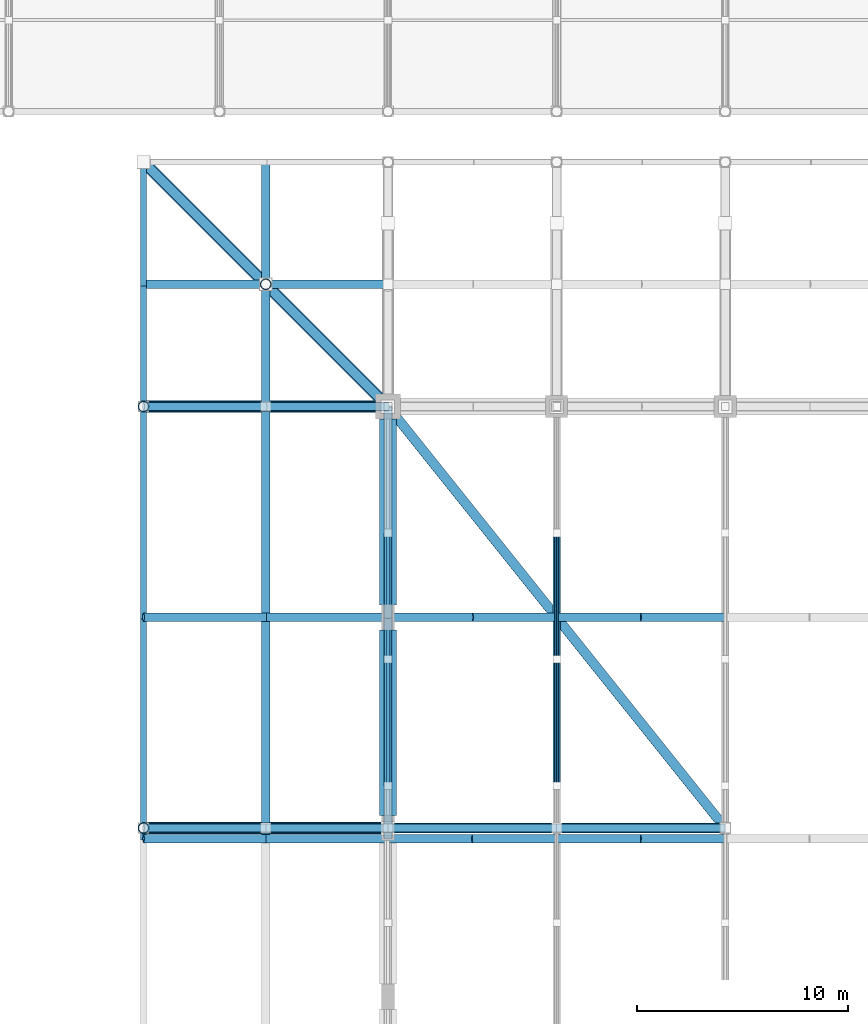
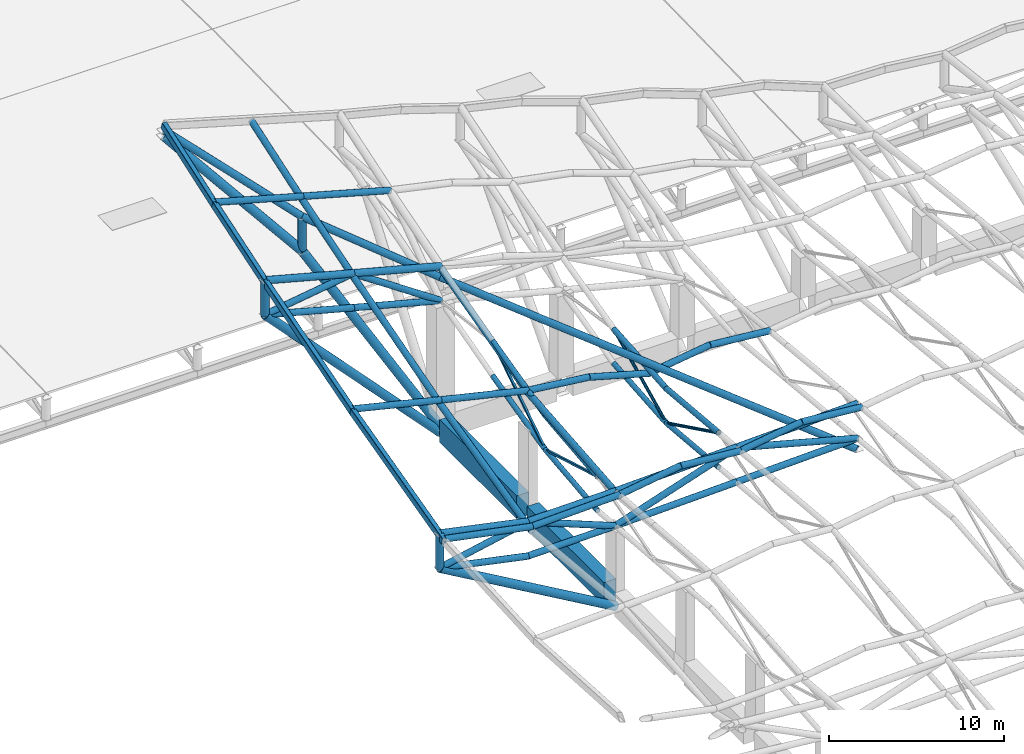
# One storey, part 10 of 75: 60 members, 6 beams.
"""IFC4 building model written with IfcOpenShell, lengths in metres."""

from ifc_helpers import new_model, si_unit, direction, frame, origin, origin_2d, place, context, subcontext, project, spatial, rectangle, hollow_rectangle, hollow_circle, extrude, material, material_profile, profile_set, type_object, element, save


model = new_model("IFC4")

# Units and contexts
model_context = context("Model", 3, precision=1e-05, world=origin(), true_north=direction((0.0, 1.0)))
body_context = subcontext(model_context, "Body", "Model", "MODEL_VIEW")
ifc_project = project(units=[si_unit("LENGTHUNIT", "METRE"), si_unit("AREAUNIT", "SQUARE_METRE"), si_unit("VOLUMEUNIT", "CUBIC_METRE"), si_unit("PLANEANGLEUNIT", "RADIAN"), si_unit("MASSUNIT", "GRAM", prefix="KILO")], contexts=[model_context])

# Site, building, storey
site_placement = place(None, origin())
site = spatial("IfcSite", under=ifc_project, at=site_placement, CompositionType="ELEMENT")
building_placement = place(site_placement, origin())
building = spatial("IfcBuilding", under=site, at=building_placement, Name="Khorjan Park Terminus", CompositionType="ELEMENT")
storey_placement = place(building_placement, frame((0.0, 0.0, 16.2)))
storey = spatial("IfcBuildingStorey", under=building, at=storey_placement, Name="L03", CompositionType="ELEMENT", Elevation=16.2)

# Members
ifc_material_1 = material(Name="Steel S355", Category="steel")
ifc_material_profile_1 = material_profile(ifc_material_1, hollow_circle(Radius=0.0969, WallThickness=0.01, at=origin_2d()), Name="CHS 193.7x10")
ifc_profile_set_1 = profile_set([ifc_material_profile_1], Name="Steel S355")
member_type_1 = type_object("IfcMemberType", Name="MB-BR-194", PredefinedType="BRACE", material=ifc_profile_set_1)
member_1_placement = place(storey_placement, frame((56.0, 70.0, 6.6796), z_axis=(0.0, 0.898043521521, -0.439906619017), x_axis=(-1.0, 0.0, 0.0)))
element("IfcMember", 1, at=member_1_placement, inside=storey, type_object=member_type_1, Name="Upper shell fold space-truss web diagonal (2)", PredefinedType="BRACE", context=body_context, shape_type="SweptSolid", body=[
    extrude(hollow_circle(Radius=0.0969, WallThickness=0.01, at=origin_2d()), origin(), (0.0, 0.0, 1.0), 6.6812),
])
member_2_placement = place(storey_placement, frame((56.0, 76.0, 3.7405), z_axis=(0.0, 0.900443010963, 0.434974003829), x_axis=(-1.0, 0.0, 0.0)))
element("IfcMember", 2, at=member_2_placement, inside=storey, type_object=member_type_1, Name="Upper shell fold space-truss web diagonal (2)", PredefinedType="BRACE", context=body_context, shape_type="SweptSolid", body=[
    extrude(hollow_circle(Radius=0.0969, WallThickness=0.01, at=origin_2d()), origin(), (0.0, 0.0, 1.0), 6.6634),
])
ifc_material_profile_2 = material_profile(ifc_material_1, hollow_rectangle(XDim=0.15, YDim=0.15, WallThickness=0.01, InnerFilletRadius=0.01, OuterFilletRadius=0.02, at=origin_2d()), Name="SHS 150x150x10")
ifc_profile_set_2 = profile_set([ifc_material_profile_2], Name="Steel S355")
member_type_2 = type_object("IfcMemberType", Name="MB-BR-SHS150", PredefinedType="BRACE", material=ifc_profile_set_2)
member_3_placement = place(storey_placement, frame((48.0, 70.0, 6.4368), z_axis=(0.0, 0.959849356938, -0.280515974565), x_axis=(-1.0, 0.0, 0.0)))
element("IfcMember", 3, at=member_3_placement, inside=storey, type_object=member_type_2, Name="Upper shell fold space-truss web diagonal (1)", PredefinedType="BRACE", context=body_context, shape_type="SweptSolid", body=[
    extrude(hollow_rectangle(XDim=0.15, YDim=0.15, WallThickness=0.01, InnerFilletRadius=0.01, OuterFilletRadius=0.02, at=origin_2d()), origin(), (0.0, 0.0, 1.0), 6.251),
])
member_4_placement = place(storey_placement, frame((48.0, 76.0, 4.6833), z_axis=(0.0, 0.839222492699, 0.543788201186), x_axis=(-1.0, 0.0, 0.0)))
element("IfcMember", 4, at=member_4_placement, inside=storey, type_object=member_type_2, Name="Upper shell fold space-truss web diagonal (1)", PredefinedType="BRACE", context=body_context, shape_type="SweptSolid", body=[
    extrude(hollow_rectangle(XDim=0.15, YDim=0.15, WallThickness=0.01, InnerFilletRadius=0.01, OuterFilletRadius=0.02, at=origin_2d()), origin(), (0.0, 0.0, 1.0), 7.1495),
])
ifc_material_profile_3 = material_profile(ifc_material_1, hollow_circle(Radius=0.162, WallThickness=0.0125, at=origin_2d()), Name="CHS 323.9x12.5")
ifc_profile_set_3 = profile_set([ifc_material_profile_3], Name="Steel S355")
member_type_3 = type_object("IfcMemberType", Name="MB-CH-324", PredefinedType="CHORD", material=ifc_profile_set_3)
member_5_placement = place(storey_placement, frame((48.0, 70.0, 4.0368), z_axis=(0.0, 0.994245032198, 0.107129902219), x_axis=(-1.0, 0.0, 0.0)))
element("IfcMember", 5, at=member_5_placement, inside=storey, type_object=member_type_3, Name="Upper shell fold space-truss bottom chord (1)", PredefinedType="CHORD", context=body_context, shape_type="SweptSolid", body=[
    extrude(hollow_circle(Radius=0.162, WallThickness=0.0125, at=origin_2d()), origin(), (0.0, 0.0, 1.0), 6.0347),
])
member_6_placement = place(storey_placement, frame((48.0, 76.0, 4.6833), z_axis=(0.0, 0.970605089876, 0.240677708786), x_axis=(-1.0, 0.0, 0.0)))
element("IfcMember", 6, at=member_6_placement, inside=storey, type_object=member_type_3, Name="Upper shell fold space-truss bottom chord (1)", PredefinedType="CHORD", context=body_context, shape_type="SweptSolid", body=[
    extrude(hollow_circle(Radius=0.162, WallThickness=0.0125, at=origin_2d()), origin(), (0.0, 0.0, 1.0), 6.1817),
])
member_7_placement = place(storey_placement, frame((56.0, 70.0, 4.2796), z_axis=(0.0, 0.995987765616, -0.089489500741), x_axis=(-1.0, 0.0, 0.0)))
element("IfcMember", 7, at=member_7_placement, inside=storey, type_object=member_type_3, Name="Upper shell fold space-truss bottom chord (2)", PredefinedType="CHORD", context=body_context, shape_type="SweptSolid", body=[
    extrude(hollow_circle(Radius=0.162, WallThickness=0.0125, at=origin_2d()), origin(), (0.0, 0.0, 1.0), 6.0242),
])
member_8_placement = place(storey_placement, frame((56.0, 76.0, 3.7405), z_axis=(0.0, 0.996567716516, 0.082781558319), x_axis=(-1.0, 0.0, 0.0)))
element("IfcMember", 8, at=member_8_placement, inside=storey, type_object=member_type_3, Name="Upper shell fold space-truss bottom chord (2)", PredefinedType="CHORD", context=body_context, shape_type="SweptSolid", body=[
    extrude(hollow_circle(Radius=0.162, WallThickness=0.0125, at=origin_2d()), origin(), (0.0, 0.0, 1.0), 6.0207),
])
ifc_material_profile_4 = material_profile(ifc_material_1, hollow_circle(Radius=0.1778, WallThickness=0.016, at=origin_2d()), Name="CHS 355.6x16")
ifc_profile_set_4 = profile_set([ifc_material_profile_4], Name="Steel S355")
member_type_4 = type_object("IfcMemberType", Name="MB-CH-356", PredefinedType="CHORD", material=ifc_profile_set_4)
member_9_placement = place(storey_placement, frame((48.0, 70.0, 6.4368), z_axis=(0.0, 0.994245032198, 0.107129902219), x_axis=(-1.0, 0.0, 0.0)))
element("IfcMember", 9, at=member_9_placement, inside=storey, type_object=member_type_4, Name="Upper shell fold space-truss top chord (1)", PredefinedType="CHORD", context=body_context, shape_type="SweptSolid", body=[
    extrude(hollow_circle(Radius=0.1778, WallThickness=0.016, at=origin_2d()), origin(), (0.0, 0.0, 1.0), 6.0347),
])
member_10_placement = place(storey_placement, frame((48.0, 76.0, 7.0833), z_axis=(0.0, 0.970605089876, 0.240677708786), x_axis=(-1.0, 0.0, 0.0)))
element("IfcMember", 10, at=member_10_placement, inside=storey, type_object=member_type_4, Name="Upper shell fold space-truss top chord (1)", PredefinedType="CHORD", context=body_context, shape_type="SweptSolid", body=[
    extrude(hollow_circle(Radius=0.1778, WallThickness=0.016, at=origin_2d()), origin(), (0.0, 0.0, 1.0), 6.1817),
])
member_11_placement = place(storey_placement, frame((56.0, 70.0, 6.6796), z_axis=(0.0, 0.995987765616, -0.089489500741), x_axis=(-1.0, 0.0, 0.0)))
element("IfcMember", 11, at=member_11_placement, inside=storey, type_object=member_type_4, Name="Upper shell fold space-truss top chord (2)", PredefinedType="CHORD", context=body_context, shape_type="SweptSolid", body=[
    extrude(hollow_circle(Radius=0.1778, WallThickness=0.016, at=origin_2d()), origin(), (0.0, 0.0, 1.0), 6.0242),
])
member_12_placement = place(storey_placement, frame((56.0, 76.0, 6.1405), z_axis=(0.0, 0.996567716516, 0.082781558319), x_axis=(-1.0, 0.0, 0.0)))
element("IfcMember", 12, at=member_12_placement, inside=storey, type_object=member_type_4, Name="Upper shell fold space-truss top chord (2)", PredefinedType="CHORD", context=body_context, shape_type="SweptSolid", body=[
    extrude(hollow_circle(Radius=0.1778, WallThickness=0.016, at=origin_2d()), origin(), (0.0, 0.0, 1.0), 6.0207),
])
ifc_material_profile_5 = material_profile(ifc_material_1, hollow_circle(Radius=0.2032, WallThickness=0.016, at=origin_2d()), Name="CHS 406.4x16")
ifc_profile_set_5 = profile_set([ifc_material_profile_5], Name="Steel S355")
member_type_5 = type_object("IfcMemberType", Name="MB-CH-406", PredefinedType="CHORD", material=ifc_profile_set_5)
member_13_placement = place(storey_placement, frame((48.0, 67.5, 6.6809), z_axis=(0.988618677516, 0.0, 0.150443047251), x_axis=(0.0, 1.0, 0.0)))
element("IfcMember", 13, at=member_13_placement, inside=storey, type_object=member_type_5, Name="Upper shell fold rib chord (169)", PredefinedType="CHORD", context=body_context, shape_type="SweptSolid", body=[
    extrude(hollow_circle(Radius=0.2032, WallThickness=0.016, at=origin_2d()), origin(), (0.0, 0.0, 1.0), 4.046),
])
member_14_placement = place(storey_placement, frame((52.0, 67.5, 7.2896), z_axis=(0.996292558823, 0.0, -0.086029862454), x_axis=(0.0, 1.0, 0.0)))
element("IfcMember", 14, at=member_14_placement, inside=storey, type_object=member_type_5, Name="Upper shell fold rib chord (170)", PredefinedType="CHORD", context=body_context, shape_type="SweptSolid", body=[
    extrude(hollow_circle(Radius=0.2032, WallThickness=0.016, at=origin_2d()), origin(), (0.0, 0.0, 1.0), 4.0149),
])
member_15_placement = place(storey_placement, frame((56.0, 67.5, 6.9442), z_axis=(0.988618677516, 0.0, 0.150443047251), x_axis=(0.0, 1.0, 0.0)))
element("IfcMember", 15, at=member_15_placement, inside=storey, type_object=member_type_5, Name="Upper shell fold rib chord (171)", PredefinedType="CHORD", context=body_context, shape_type="SweptSolid", body=[
    extrude(hollow_circle(Radius=0.2032, WallThickness=0.016, at=origin_2d()), origin(), (0.0, 0.0, 1.0), 4.046),
])
member_16_placement = place(storey_placement, frame((60.0, 67.5, 7.5529), z_axis=(0.996292558823, 0.0, -0.086029862454), x_axis=(0.0, 1.0, 0.0)))
element("IfcMember", 16, at=member_16_placement, inside=storey, type_object=member_type_5, Name="Upper shell fold rib chord (172)", PredefinedType="CHORD", context=body_context, shape_type="SweptSolid", body=[
    extrude(hollow_circle(Radius=0.2032, WallThickness=0.016, at=origin_2d()), origin(), (0.0, 0.0, 1.0), 4.0149),
])
member_17_placement = place(storey_placement, frame((48.0, 78.0, 7.6014), z_axis=(0.992996736267, 0.0, -0.118141786697), x_axis=(0.0, 1.0, 0.0)))
element("IfcMember", 17, at=member_17_placement, inside=storey, type_object=member_type_5, Name="Upper shell fold rib chord (195)", PredefinedType="CHORD", context=body_context, shape_type="SweptSolid", body=[
    extrude(hollow_circle(Radius=0.2032, WallThickness=0.016, at=origin_2d()), origin(), (0.0, 0.0, 1.0), 4.0282),
])
member_18_placement = place(storey_placement, frame((52.0, 78.0, 7.1255), z_axis=(0.962669755627, 0.0, -0.270678668538), x_axis=(0.0, 1.0, 0.0)))
element("IfcMember", 18, at=member_18_placement, inside=storey, type_object=member_type_5, Name="Upper shell fold rib chord (196)", PredefinedType="CHORD", context=body_context, shape_type="SweptSolid", body=[
    extrude(hollow_circle(Radius=0.2032, WallThickness=0.016, at=origin_2d()), origin(), (0.0, 0.0, 1.0), 4.1551),
])
member_19_placement = place(storey_placement, frame((56.0, 78.0, 6.0008), z_axis=(0.990150474603, 0.0, 0.140007277109), x_axis=(0.0, 1.0, 0.0)))
element("IfcMember", 19, at=member_19_placement, inside=storey, type_object=member_type_5, Name="Upper shell fold rib chord (197)", PredefinedType="CHORD", context=body_context, shape_type="SweptSolid", body=[
    extrude(hollow_circle(Radius=0.2032, WallThickness=0.016, at=origin_2d()), origin(), (0.0, 0.0, 1.0), 4.0398),
])
member_20_placement = place(storey_placement, frame((60.0, 78.0, 6.5664), z_axis=(0.995316476949, 0.0, -0.096670112824), x_axis=(0.0, 1.0, 0.0)))
element("IfcMember", 20, at=member_20_placement, inside=storey, type_object=member_type_5, Name="Upper shell fold rib chord (198)", PredefinedType="CHORD", context=body_context, shape_type="SweptSolid", body=[
    extrude(hollow_circle(Radius=0.2032, WallThickness=0.016, at=origin_2d()), origin(), (0.0, 0.0, 1.0), 4.0188),
])
for number, where, z_axis, x_axis, name in (
    (21, (48.0, 68.0, 4.2001), (0.999475532887, 0.0, 0.032383007266), (0.0, 1.0, 0.0), "Upper shell longitudinal truss bottom chord (W3)"),
    (22, (56.0, 68.0, 4.4593), (0.999475532887, 0.0, 0.032383007266), (0.0, 1.0, 0.0), "Upper shell longitudinal truss bottom chord (W3)"),
):
    element("IfcMember", number, at=place(storey_placement, frame(where, z_axis=z_axis, x_axis=x_axis)), inside=storey, type_object=member_type_5, Name=name, PredefinedType="CHORD", context=body_context, shape_type="SweptSolid", body=[
        extrude(hollow_circle(Radius=0.2032, WallThickness=0.016, at=origin_2d()), origin(), (0.0, 0.0, 1.0), 8.0042),
    ])
ifc_material_profile_6 = material_profile(ifc_material_1, hollow_circle(Radius=0.2285, WallThickness=0.016, at=origin_2d()), Name="CHS 457x16")
ifc_profile_set_6 = profile_set([ifc_material_profile_6], Name="Steel S355")
member_type_6 = type_object("IfcMemberType", Name="MB-CH-457", PredefinedType="CHORD", material=ifc_profile_set_6)
for number, where, z_axis, x_axis, name in (
    (23, (48.0, 68.0, 6.6001), (0.999475532887, 0.0, 0.032383007266), (0.0, 1.0, 0.0), "Upper shell longitudinal truss top chord (W3)"),
    (24, (56.0, 68.0, 6.8593), (0.999475532887, 0.0, 0.032383007266), (0.0, 1.0, 0.0), "Upper shell longitudinal truss top chord (W3)"),
):
    element("IfcMember", number, at=place(storey_placement, frame(where, z_axis=z_axis, x_axis=x_axis)), inside=storey, type_object=member_type_6, Name=name, PredefinedType="CHORD", context=body_context, shape_type="SweptSolid", body=[
        extrude(hollow_circle(Radius=0.2285, WallThickness=0.016, at=origin_2d()), origin(), (0.0, 0.0, 1.0), 8.0042),
    ])
ifc_material_profile_7 = material_profile(ifc_material_1, hollow_circle(Radius=0.2032, WallThickness=0.016, at=origin_2d()), Name="CHS 406.4x16")
ifc_profile_set_7 = profile_set([ifc_material_profile_7], Name="Steel S355")
member_type_7 = type_object("IfcMemberType", Name="MB-CHE-406", PredefinedType="CHORD", material=ifc_profile_set_7)
member_21_placement = place(storey_placement, frame((42.2, 67.5, 6.17), z_axis=(0.0, 0.972410414812, 0.233276627988), x_axis=(-1.0, 0.0, 0.0)))
element("IfcMember", 25, at=member_21_placement, inside=storey, type_object=member_type_7, Name="Upper shell overhang fold purlin TCE-41 (Y7)", PredefinedType="CHORD", context=body_context, shape_type="SweptSolid", body=[
    extrude(hollow_circle(Radius=0.2032, WallThickness=0.016, at=origin_2d()), origin(), (0.0, 0.0, 1.0), 10.7979),
])
member_22_placement = place(storey_placement, frame((42.2, 78.0, 8.6889), z_axis=(0.0, 0.960721582771, 0.277514036399), x_axis=(-1.0, 0.0, 0.0)))
element("IfcMember", 26, at=member_22_placement, inside=storey, type_object=member_type_7, Name="Upper shell overhang fold purlin TCE-41 (Y8)", PredefinedType="CHORD", context=body_context, shape_type="SweptSolid", body=[
    extrude(hollow_circle(Radius=0.2032, WallThickness=0.016, at=origin_2d()), origin(), (0.0, 0.0, 1.0), 10.4088),
])
member_23_placement = place(storey_placement, frame((42.2, 88.0, 11.5775), z_axis=(0.0, 0.953789220294, 0.300476493676), x_axis=(-1.0, 0.0, 0.0)))
element("IfcMember", 27, at=member_23_placement, inside=storey, type_object=member_type_7, Name="Upper shell overhang fold purlin TCE-41 (Y9)", PredefinedType="CHORD", context=body_context, shape_type="SweptSolid", body=[
    extrude(hollow_circle(Radius=0.2032, WallThickness=0.016, at=origin_2d()), origin(), (0.0, 0.0, 1.0), 6.081),
])
member_24_placement = place(storey_placement, frame((42.2, 93.8, 13.4047), z_axis=(0.0, 0.947051068771, 0.321082969247), x_axis=(-1.0, 0.0, 0.0)))
element("IfcMember", 28, at=member_24_placement, inside=storey, type_object=member_type_7, Name="Upper shell overhang fold purlin TCE-41 (Y10)", PredefinedType="CHORD", context=body_context, shape_type="SweptSolid", body=[
    extrude(hollow_circle(Radius=0.2032, WallThickness=0.016, at=origin_2d()), origin(), (0.0, 0.0, 1.0), 6.1243),
])
member_25_placement = place(storey_placement, frame((48.0, 67.5, 6.5409), z_axis=(0.0, 0.996179286637, 0.087331717462), x_axis=(-1.0, 0.0, 0.0)))
element("IfcMember", 29, at=member_25_placement, inside=storey, type_object=member_type_7, Name="Upper shell overhang fold purlin TCE-41 (Y17)", PredefinedType="CHORD", context=body_context, shape_type="SweptSolid", body=[
    extrude(hollow_circle(Radius=0.2032, WallThickness=0.016, at=origin_2d()), origin(), (0.0, 0.0, 1.0), 10.5403),
])
member_26_placement = place(storey_placement, frame((48.0, 78.0, 7.4614), z_axis=(0.0, 0.966438351588, 0.256898642619), x_axis=(-1.0, 0.0, 0.0)))
element("IfcMember", 30, at=member_26_placement, inside=storey, type_object=member_type_7, Name="Upper shell overhang fold purlin TCE-41 (Y18)", PredefinedType="CHORD", context=body_context, shape_type="SweptSolid", body=[
    extrude(hollow_circle(Radius=0.2032, WallThickness=0.016, at=origin_2d()), origin(), (0.0, 0.0, 1.0), 10.3473),
])
member_27_placement = place(storey_placement, frame((36.4, 67.5, 7.6468), z_axis=(0.980684589092, 0.0, -0.195595850459), x_axis=(0.0, 1.0, 0.0)))
element("IfcMember", 31, at=member_27_placement, inside=storey, type_object=member_type_7, Name="Upper shell fold rib chord (167)", PredefinedType="CHORD", context=body_context, shape_type="SweptSolid", body=[
    extrude(hollow_circle(Radius=0.2032, WallThickness=0.016, at=origin_2d()), origin(), (0.0, 0.0, 1.0), 5.9142),
])
member_28_placement = place(storey_placement, frame((42.2, 67.5, 6.49), z_axis=(0.999458780806, 0.0, 0.032895979527), x_axis=(0.0, 1.0, 0.0)))
element("IfcMember", 32, at=member_28_placement, inside=storey, type_object=member_type_7, Name="Upper shell fold rib chord (168)", PredefinedType="CHORD", context=body_context, shape_type="SweptSolid", body=[
    extrude(hollow_circle(Radius=0.2032, WallThickness=0.016, at=origin_2d()), origin(), (0.0, 0.0, 1.0), 5.8031),
])
member_29_placement = place(storey_placement, frame((36.4, 78.0, 10.359), z_axis=(0.972269251704, 0.0, -0.233864281561), x_axis=(0.0, 1.0, 0.0)))
element("IfcMember", 33, at=member_29_placement, inside=storey, type_object=member_type_7, Name="Upper shell fold rib chord (193)", PredefinedType="CHORD", context=body_context, shape_type="SweptSolid", body=[
    extrude(hollow_circle(Radius=0.2032, WallThickness=0.016, at=origin_2d()), origin(), (0.0, 0.0, 1.0), 5.9654),
])
member_30_placement = place(storey_placement, frame((42.2, 78.0, 8.9639), z_axis=(0.973499651722, 0.0, -0.228688495771), x_axis=(0.0, 1.0, 0.0)))
element("IfcMember", 34, at=member_30_placement, inside=storey, type_object=member_type_7, Name="Upper shell fold rib chord (194)", PredefinedType="CHORD", context=body_context, shape_type="SweptSolid", body=[
    extrude(hollow_circle(Radius=0.2032, WallThickness=0.016, at=origin_2d()), origin(), (0.0, 0.0, 1.0), 5.9579),
])
member_31_placement = place(storey_placement, frame((36.4, 93.8, 15.2323), z_axis=(0.963239486929, 0.0, -0.268644171389), x_axis=(0.0, 1.0, 0.0)))
element("IfcMember", 35, at=member_31_placement, inside=storey, type_object=member_type_7, Name="Upper shell fold rib chord (241)", PredefinedType="CHORD", context=body_context, shape_type="SweptSolid", body=[
    extrude(hollow_circle(Radius=0.2032, WallThickness=0.016, at=origin_2d()), origin(), (0.0, 0.0, 1.0), 6.0213),
])
member_32_placement = place(storey_placement, frame((42.2, 93.8, 13.6147), z_axis=(0.963612582455, 0.0, -0.267302807571), x_axis=(0.0, 1.0, 0.0)))
element("IfcMember", 36, at=member_32_placement, inside=storey, type_object=member_type_7, Name="Upper shell fold rib chord (242)", PredefinedType="CHORD", context=body_context, shape_type="SweptSolid", body=[
    extrude(hollow_circle(Radius=0.2032, WallThickness=0.016, at=origin_2d()), origin(), (0.0, 0.0, 1.0), 6.019),
])
member_33_placement = place(storey_placement, frame((36.4, 68.0, 5.3264), z_axis=(0.978843164091, 0.0, -0.204611974508), x_axis=(0.0, 1.0, 0.0)))
element("IfcMember", 37, at=member_33_placement, inside=storey, type_object=member_type_7, Name="Upper shell longitudinal truss bottom chord (W3)", PredefinedType="CHORD", context=body_context, shape_type="SweptSolid", body=[
    extrude(hollow_circle(Radius=0.2032, WallThickness=0.016, at=origin_2d()), origin(), (0.0, 0.0, 1.0), 5.9254),
])
member_34_placement = place(storey_placement, frame((42.2, 68.0, 4.114), z_axis=(0.999889833755, 0.0, 0.014843192187), x_axis=(0.0, 1.0, 0.0)))
element("IfcMember", 38, at=member_34_placement, inside=storey, type_object=member_type_7, Name="Upper shell longitudinal truss bottom chord (W3)", PredefinedType="CHORD", context=body_context, shape_type="SweptSolid", body=[
    extrude(hollow_circle(Radius=0.2032, WallThickness=0.016, at=origin_2d()), origin(), (0.0, 0.0, 1.0), 5.8006),
])
member_35_placement = place(storey_placement, frame((36.4, 88.0, 10.8929), z_axis=(0.96628745768, 0.0, -0.257465627086), x_axis=(0.0, 1.0, 0.0)))
element("IfcMember", 39, at=member_35_placement, inside=storey, type_object=member_type_7, Name="Upper shell longitudinal truss bottom chord (W4)", PredefinedType="CHORD", context=body_context, shape_type="SweptSolid", body=[
    extrude(hollow_circle(Radius=0.2032, WallThickness=0.016, at=origin_2d()), origin(), (0.0, 0.0, 1.0), 6.0024),
])
member_36_placement = place(storey_placement, frame((42.2, 88.0, 9.3475), z_axis=(0.967009499939, 0.0, -0.254740312923), x_axis=(0.0, 1.0, 0.0)))
element("IfcMember", 40, at=member_36_placement, inside=storey, type_object=member_type_7, Name="Upper shell longitudinal truss bottom chord (W4)", PredefinedType="CHORD", context=body_context, shape_type="SweptSolid", body=[
    extrude(hollow_circle(Radius=0.2032, WallThickness=0.016, at=origin_2d()), origin(), (0.0, 0.0, 1.0), 5.9979),
])
ifc_material_profile_8 = material_profile(ifc_material_1, hollow_circle(Radius=0.2285, WallThickness=0.016, at=origin_2d()), Name="CHS 457x16")
ifc_profile_set_8 = profile_set([ifc_material_profile_8], Name="Steel S355")
member_type_8 = type_object("IfcMemberType", Name="MB-CHE-457", PredefinedType="CHORD", material=ifc_profile_set_8)
member_37_placement = place(storey_placement, frame((36.4, 68.0, 7.7264), z_axis=(0.978843164091, 0.0, -0.204611974508), x_axis=(0.0, 1.0, 0.0)))
element("IfcMember", 41, at=member_37_placement, inside=storey, type_object=member_type_8, Name="Upper shell longitudinal truss top chord (W3)", PredefinedType="CHORD", context=body_context, shape_type="SweptSolid", body=[
    extrude(hollow_circle(Radius=0.2285, WallThickness=0.016, at=origin_2d()), origin(), (0.0, 0.0, 1.0), 5.9254),
])
member_38_placement = place(storey_placement, frame((42.2, 68.0, 6.514), z_axis=(0.999889833755, 0.0, 0.014843192187), x_axis=(0.0, 1.0, 0.0)))
element("IfcMember", 42, at=member_38_placement, inside=storey, type_object=member_type_8, Name="Upper shell longitudinal truss top chord (W3)", PredefinedType="CHORD", context=body_context, shape_type="SweptSolid", body=[
    extrude(hollow_circle(Radius=0.2285, WallThickness=0.016, at=origin_2d()), origin(), (0.0, 0.0, 1.0), 5.8006),
])
member_39_placement = place(storey_placement, frame((36.4, 88.0, 13.2929), z_axis=(0.96628745768, 0.0, -0.257465627086), x_axis=(0.0, 1.0, 0.0)))
element("IfcMember", 43, at=member_39_placement, inside=storey, type_object=member_type_8, Name="Upper shell longitudinal truss top chord (W4)", PredefinedType="CHORD", context=body_context, shape_type="SweptSolid", body=[
    extrude(hollow_circle(Radius=0.2285, WallThickness=0.016, at=origin_2d()), origin(), (0.0, 0.0, 1.0), 6.0024),
])
member_40_placement = place(storey_placement, frame((42.2, 88.0, 11.7475), z_axis=(0.967009499939, 0.0, -0.254740312923), x_axis=(0.0, 1.0, 0.0)))
element("IfcMember", 44, at=member_40_placement, inside=storey, type_object=member_type_8, Name="Upper shell longitudinal truss top chord (W4)", PredefinedType="CHORD", context=body_context, shape_type="SweptSolid", body=[
    extrude(hollow_circle(Radius=0.2285, WallThickness=0.016, at=origin_2d()), origin(), (0.0, 0.0, 1.0), 5.9979),
])
member_41_placement = place(storey_placement, frame((64.0, 68.0, 3.9485), z_axis=(-0.610766171554, 0.763457714443, 0.209992861646), x_axis=(-0.780868809443, -0.624695047554, 0.0)))
element("IfcMember", 45, at=member_41_placement, inside=storey, type_object=member_type_8, Name="Upper shell upturned corner spine truss TCE-46 (NW)", PredefinedType="CHORD", context=body_context, shape_type="SweptSolid", body=[
    extrude(hollow_circle(Radius=0.2285, WallThickness=0.016, at=origin_2d()), origin(), (0.0, 0.0, 1.0), 26.1966),
])
member_42_placement = place(storey_placement, frame((48.0, 88.0, 9.4496), z_axis=(-0.6703049189, 0.6703049189, 0.318406393459), x_axis=(-0.707106781187, -0.707106781187, 0.0)))
element("IfcMember", 46, at=member_42_placement, inside=storey, type_object=member_type_8, Name="Upper shell upturned corner spine truss TCE-46 (NW)", PredefinedType="CHORD", context=body_context, shape_type="SweptSolid", body=[
    extrude(hollow_circle(Radius=0.2285, WallThickness=0.016, at=origin_2d()), origin(), (0.0, 0.0, 1.0), 8.6528),
])
member_43_placement = place(storey_placement, frame((42.2, 93.8, 12.2047), z_axis=(-0.61849383505, 0.61849383505, 0.48469655663), x_axis=(-0.707106781187, -0.707106781187, 0.0)))
element("IfcMember", 47, at=member_43_placement, inside=storey, type_object=member_type_8, Name="Upper shell upturned corner spine truss TCE-46 (NW)", PredefinedType="CHORD", context=body_context, shape_type="SweptSolid", body=[
    extrude(hollow_circle(Radius=0.2285, WallThickness=0.016, at=origin_2d()), origin(), (0.0, 0.0, 1.0), 9.3776),
])
ifc_material_profile_9 = material_profile(ifc_material_1, hollow_circle(Radius=0.2032, WallThickness=0.016, at=origin_2d()), Name="CHS 406.4x16")
ifc_profile_set_9 = profile_set([ifc_material_profile_9], Name="Steel S355")
member_type_9 = type_object("IfcMemberType", Name="MB-ST-406", PredefinedType="STRUT", material=ifc_profile_set_9)
member_44_placement = place(storey_placement, frame((48.0, 68.0, 4.2001), z_axis=(0.948948668795, 0.0, 0.315430537507), x_axis=(0.0, 1.0, 0.0)))
element("IfcMember", 48, at=member_44_placement, inside=storey, type_object=member_type_9, Name="Upper shell longitudinal truss diagonal (W3)", PredefinedType="STRUT", context=body_context, shape_type="SweptSolid", body=[
    extrude(hollow_circle(Radius=0.2032, WallThickness=0.016, at=origin_2d()), origin(), (0.0, 0.0, 1.0), 8.4304),
])
member_45_placement = place(storey_placement, frame((56.0, 68.0, 6.8593), z_axis=(0.96601010587, 0.0, -0.258504304331), x_axis=(0.0, 1.0, 0.0)))
element("IfcMember", 49, at=member_45_placement, inside=storey, type_object=member_type_9, Name="Upper shell longitudinal truss diagonal (W3)", PredefinedType="STRUT", context=body_context, shape_type="SweptSolid", body=[
    extrude(hollow_circle(Radius=0.2032, WallThickness=0.016, at=origin_2d()), origin(), (0.0, 0.0, 1.0), 8.2815),
])
ifc_material_profile_10 = material_profile(ifc_material_1, hollow_circle(Radius=0.2795, WallThickness=0.02, at=origin_2d()), Name="CHS 559x20")
ifc_profile_set_10 = profile_set([ifc_material_profile_10], Name="Steel S355")
member_type_10 = type_object("IfcMemberType", Name="MB-ST-CHS559", PredefinedType="STRUT", material=ifc_profile_set_10)
member_46_placement = place(storey_placement, frame((48.0, 68.0, -1.4), z_axis=(-0.865082970525, 0.0, 0.501628801115), x_axis=(0.0, -1.0, 0.0)))
element("IfcMember", 50, at=member_46_placement, inside=storey, type_object=member_type_10, Name="Upper shell raked longitudinal V-strut STE-56 (W3)", PredefinedType="STRUT", context=body_context, shape_type="SweptSolid", body=[
    extrude(hollow_circle(Radius=0.2795, WallThickness=0.02, at=origin_2d()), origin(), (0.0, 0.0, 1.0), 13.4091),
])
member_47_placement = place(storey_placement, frame((48.0, 88.0, -1.4), z_axis=(-0.686311971477, 0.0, 0.727307278808), x_axis=(0.0, -1.0, 0.0)))
element("IfcMember", 51, at=member_47_placement, inside=storey, type_object=member_type_10, Name="Upper shell raked longitudinal V-strut STE-56 (W4)", PredefinedType="STRUT", context=body_context, shape_type="SweptSolid", body=[
    extrude(hollow_circle(Radius=0.2795, WallThickness=0.02, at=origin_2d()), origin(), (0.0, 0.0, 1.0), 16.9019),
])
member_48_placement = place(storey_placement, frame((48.0, 88.0, -1.0), z_axis=(-0.427556645148, 0.427556645148, 0.796486428246), x_axis=(-0.707106781187, -0.707106781187, 0.0)))
element("IfcMember", 52, at=member_48_placement, inside=storey, type_object=member_type_10, Name="Upper shell upturned corner spine truss STE-56 (NW)", PredefinedType="STRUT", context=body_context, shape_type="SweptSolid", body=[
    extrude(hollow_circle(Radius=0.2795, WallThickness=0.02, at=origin_2d()), origin(), (0.0, 0.0, 1.0), 13.5655),
])
member_49_placement = place(storey_placement, frame((42.2, 93.8, 9.8047), z_axis=(-0.552704518126, 0.552704518126, 0.623727048705), x_axis=(-0.707106781187, -0.707106781187, 0.0)))
element("IfcMember", 53, at=member_49_placement, inside=storey, type_object=member_type_10, Name="Upper shell upturned corner spine truss STE-56 (NW)", PredefinedType="STRUT", context=body_context, shape_type="SweptSolid", body=[
    extrude(hollow_circle(Radius=0.2795, WallThickness=0.02, at=origin_2d()), origin(), (0.0, 0.0, 1.0), 10.4939),
])
ifc_material_profile_11 = material_profile(ifc_material_1, hollow_circle(Radius=0.2032, WallThickness=0.016, at=origin_2d()), Name="CHS 406.4x16")
ifc_profile_set_11 = profile_set([ifc_material_profile_11], Name="Steel S355")
member_type_11 = type_object("IfcMemberType", Name="MB-STE-406", PredefinedType="STRUT", material=ifc_profile_set_11)
member_50_placement = place(storey_placement, frame((36.4, 68.0, 5.3264), z_axis=(0.979673911286, 0.0, 0.200596678801), x_axis=(0.0, 1.0, 0.0)))
element("IfcMember", 54, at=member_50_placement, inside=storey, type_object=member_type_11, Name="Upper shell longitudinal truss diagonal (W3)", PredefinedType="STRUT", context=body_context, shape_type="SweptSolid", body=[
    extrude(hollow_circle(Radius=0.2032, WallThickness=0.016, at=origin_2d()), origin(), (0.0, 0.0, 1.0), 5.9203),
])
member_51_placement = place(storey_placement, frame((42.2, 68.0, 6.514), z_axis=(0.928813155617, 0.0, -0.370548407031), x_axis=(0.0, 1.0, 0.0)))
element("IfcMember", 55, at=member_51_placement, inside=storey, type_object=member_type_11, Name="Upper shell longitudinal truss diagonal (W3)", PredefinedType="STRUT", context=body_context, shape_type="SweptSolid", body=[
    extrude(hollow_circle(Radius=0.2032, WallThickness=0.016, at=origin_2d()), origin(), (0.0, 0.0, 1.0), 6.2445),
])
member_52_placement = place(storey_placement, frame((36.4, 88.0, 10.8929), z_axis=(0.989318367267, 0.0, 0.145770944253), x_axis=(0.0, 1.0, 0.0)))
element("IfcMember", 56, at=member_52_placement, inside=storey, type_object=member_type_11, Name="Upper shell longitudinal truss diagonal (W4)", PredefinedType="STRUT", context=body_context, shape_type="SweptSolid", body=[
    extrude(hollow_circle(Radius=0.2032, WallThickness=0.016, at=origin_2d()), origin(), (0.0, 0.0, 1.0), 5.8626),
])
member_53_placement = place(storey_placement, frame((42.2, 88.0, 11.7475), z_axis=(0.827993737699, 0.0, -0.560737345226), x_axis=(0.0, 1.0, 0.0)))
element("IfcMember", 57, at=member_53_placement, inside=storey, type_object=member_type_11, Name="Upper shell longitudinal truss diagonal (W4)", PredefinedType="STRUT", context=body_context, shape_type="SweptSolid", body=[
    extrude(hollow_circle(Radius=0.2032, WallThickness=0.016, at=origin_2d()), origin(), (0.0, 0.0, 1.0), 7.0049),
])
ifc_material_profile_12 = material_profile(ifc_material_1, hollow_circle(Radius=0.254, WallThickness=0.02, at=origin_2d()), Name="CHS 508x20")
ifc_profile_set_12 = profile_set([ifc_material_profile_12], Name="Steel S355")
member_type_12 = type_object("IfcMemberType", Name="MB-STE-508", PredefinedType="STRUT", material=ifc_profile_set_12)
for number, where, z_axis, x_axis, name in (
    (58, (36.4, 68.0, 5.3264), (0.0, 0.0, 1.0), (1.0, 0.0, 0.0), "Upper shell longitudinal tip post (W3)"),
    (59, (36.4, 88.0, 10.8929), (0.0, 0.0, 1.0), (1.0, 0.0, 0.0), "Upper shell longitudinal tip post (W4)"),
    (60, (42.2, 93.8, 9.8047), (0.0, 0.0, 1.0), (1.0, 0.0, 0.0), "Upper shell upturned corner spine truss STE-51 (NW)"),
):
    element("IfcMember", number, at=place(storey_placement, frame(where, z_axis=z_axis, x_axis=x_axis)), inside=storey, type_object=member_type_12, Name=name, PredefinedType="STRUT", context=body_context, shape_type="SweptSolid", body=[
        extrude(hollow_circle(Radius=0.254, WallThickness=0.02, at=origin_2d()), origin(), (0.0, 0.0, 1.0), 2.4),
    ])

# Beams
ifc_material_2 = material(Name="Concrete C50/60", Category="concrete")
ifc_material_profile_13 = material_profile(ifc_material_2, rectangle(XDim=0.8, YDim=1.6, at=origin_2d()), Name="RC 800x1600")
ifc_profile_set_13 = profile_set([ifc_material_profile_13], Name="Concrete C50/60")
beam_type_1 = type_object("IfcBeamType", Name="SP-RC800x1600", PredefinedType="SPANDREL", material=ifc_profile_set_13)
for number, where, z_axis, x_axis, name in (
    (61, (48.0, 68.594, -0.8), (0.0, 1.0, 0.0), (-1.0, 0.0, 0.0), "Concourse colonnade ring beam SP-16 (33)"),
    (62, (48.0, 78.594, -0.8), (0.0, 1.0, 0.0), (-1.0, 0.0, 0.0), "Concourse colonnade ring beam SP-16 (35)"),
):
    element("IfcBeam", number, at=place(storey_placement, frame(where, z_axis=z_axis, x_axis=x_axis)), inside=storey, type_object=beam_type_1, Name=name, PredefinedType="SPANDREL", context=body_context, shape_type="SweptSolid", body=[
        extrude(rectangle(XDim=0.8, YDim=1.6, at=origin_2d()), origin(), (0.0, 0.0, 1.0), 8.812),
    ])
ifc_material_profile_14 = material_profile(ifc_material_1, hollow_rectangle(XDim=0.3, YDim=0.5, WallThickness=0.016, InnerFilletRadius=0.016, OuterFilletRadius=0.032, at=origin_2d()), Name="RHS 500x300x16")
ifc_profile_set_14 = profile_set([ifc_material_profile_14], Name="Steel S355")
beam_type_2 = type_object("IfcBeamType", Name="SP-RHS500", PredefinedType="SPANDREL", material=ifc_profile_set_14)
beam_1_placement = place(storey_placement, frame((36.4, 67.5, 7.5068), z_axis=(0.0, 0.968221018632, 0.250096099689), x_axis=(-1.0, 0.0, 0.0)))
element("IfcBeam", 63, at=beam_1_placement, inside=storey, type_object=beam_type_2, Name="Upper folded shell upturned perimeter edge beam SP-R50 (59)", PredefinedType="SPANDREL", context=body_context, shape_type="SweptSolid", body=[
    extrude(hollow_rectangle(XDim=0.3, YDim=0.5, WallThickness=0.016, InnerFilletRadius=0.016, OuterFilletRadius=0.032, at=origin_2d()), origin(), (0.0, 0.0, 1.0), 10.8446),
])
beam_2_placement = place(storey_placement, frame((36.4, 78.0, 10.219), z_axis=(0.0, 0.958512081218, 0.285051907833), x_axis=(-1.0, 0.0, 0.0)))
element("IfcBeam", 64, at=beam_2_placement, inside=storey, type_object=beam_type_2, Name="Upper folded shell upturned perimeter edge beam SP-R50 (60)", PredefinedType="SPANDREL", context=body_context, shape_type="SweptSolid", body=[
    extrude(hollow_rectangle(XDim=0.3, YDim=0.5, WallThickness=0.016, InnerFilletRadius=0.016, OuterFilletRadius=0.032, at=origin_2d()), origin(), (0.0, 0.0, 1.0), 10.4328),
])
beam_3_placement = place(storey_placement, frame((36.4, 88.0, 13.1929), z_axis=(0.0, 0.950338107828, 0.311219345174), x_axis=(-1.0, 0.0, 0.0)))
element("IfcBeam", 65, at=beam_3_placement, inside=storey, type_object=beam_type_2, Name="Upper folded shell upturned perimeter edge beam SP-R50 (61)", PredefinedType="SPANDREL", context=body_context, shape_type="SweptSolid", body=[
    extrude(hollow_rectangle(XDim=0.3, YDim=0.5, WallThickness=0.016, InnerFilletRadius=0.016, OuterFilletRadius=0.032, at=origin_2d()), origin(), (0.0, 0.0, 1.0), 6.1031),
])
beam_4_placement = place(storey_placement, frame((36.4, 93.8, 15.0923), z_axis=(0.0, 0.943975016582, 0.330016920883), x_axis=(-1.0, 0.0, 0.0)))
element("IfcBeam", 66, at=beam_4_placement, inside=storey, type_object=beam_type_2, Name="Upper folded shell upturned perimeter edge beam SP-R50 (62)", PredefinedType="SPANDREL", context=body_context, shape_type="SweptSolid", body=[
    extrude(hollow_rectangle(XDim=0.3, YDim=0.5, WallThickness=0.016, InnerFilletRadius=0.016, OuterFilletRadius=0.032, at=origin_2d()), origin(), (0.0, 0.0, 1.0), 6.1442),
])

save(model, "model.ifc")
